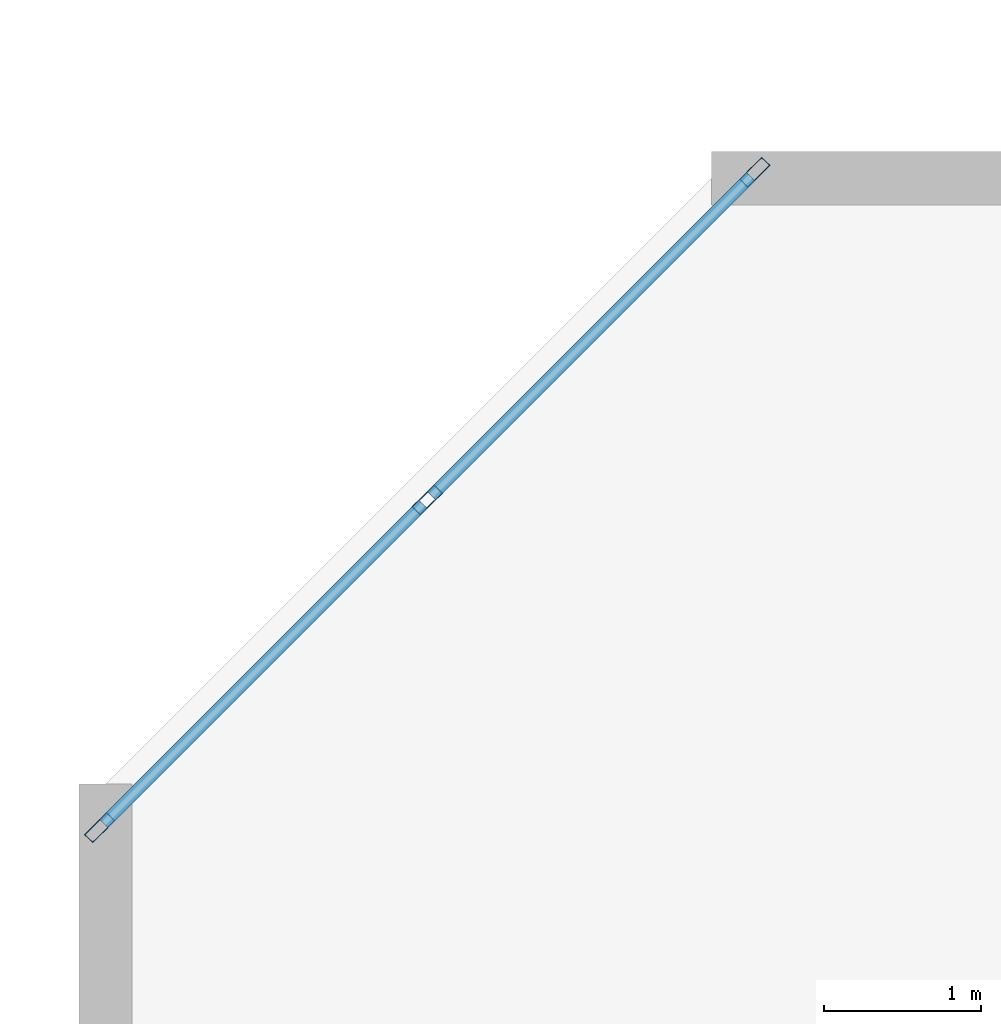
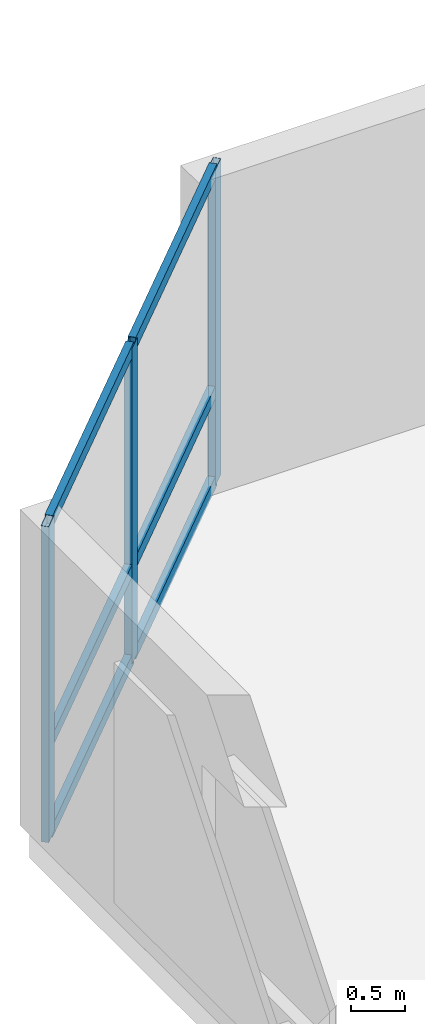
# One storey, part 3 of 12: 9 members, 1 element without a shape of its own.
"""IFC4 building model written with IfcOpenShell, lengths in metres."""

from ifc_helpers import new_model, si_unit, direction, frame, origin, origin_2d, place, context, subcontext, project, spatial, hollow_rectangle, extrude, material, layer, layer_set, material_profile, profile_set, type_object, element, aggregate, save


model = new_model("IFC4")

# Units and contexts
model_context = context("Model", 3, precision=1e-05, world=origin(), true_north=direction((0.0, 1.0)))
body_context = subcontext(model_context, "Body", "Model", "MODEL_VIEW")
ifc_project = project(units=[si_unit("LENGTHUNIT", "METRE"), si_unit("AREAUNIT", "SQUARE_METRE"), si_unit("VOLUMEUNIT", "CUBIC_METRE"), si_unit("PLANEANGLEUNIT", "RADIAN"), si_unit("MASSUNIT", "GRAM", prefix="KILO")], contexts=[model_context])

# Site, building, storey
site_placement = place(None, origin())
site = spatial("IfcSite", under=ifc_project, at=site_placement, CompositionType="ELEMENT")
building_placement = place(site_placement, origin())
building = spatial("IfcBuilding", under=site, at=building_placement, Name="Kestravale Grand Hotel", CompositionType="ELEMENT")
storey_placement = place(building_placement, frame((0.0, 0.0, 33.60009765625)))
storey = spatial("IfcBuildingStorey", under=building, at=storey_placement, Name="L07", CompositionType="ELEMENT", Elevation=33.60009765625)

# Curtain wall, members
ifc_material_1 = material(Name="Thermally broken champagne-bronze aluminium and low-E glazing", Category="aluminium")
ifc_layer = layer(ifc_material_1, 0.199951171875)
ifc_layer_set = layer_set([ifc_layer], Name="CW-Z1")
curtain_wall_type = type_object("IfcCurtainWallType", Name="CW-Z1", PredefinedType="NOTDEFINED", material=ifc_layer_set)
curtain_wall_placement = place(storey_placement, origin())
curtain_wall = element("IfcCurtainWall", 1, at=curtain_wall_placement, inside=storey, type_object=curtain_wall_type, Name="L07 unitised curtain wall 18", PredefinedType="NOTDEFINED")
ifc_material_2 = material(Name="Aluminium 6063-T6 anodised", Category="aluminium")
ifc_material_profile_1 = material_profile(ifc_material_2, hollow_rectangle(XDim=0.074951171875, YDim=0.199951171875, WallThickness=0.00390625, at=origin_2d()))
ifc_profile_set_1 = profile_set([ifc_material_profile_1], Name="Aluminium 6063-T6 anodised")
member_type_1 = type_object("IfcMemberType", Name="CW-MUL-200", PredefinedType="MULLION", material=ifc_profile_set_1)
member_1_placement = place(storey_placement, frame((6.707763671875, 46.0673828125, 0.0), z_axis=(0.0, 0.0, 1.0), x_axis=(0.707106781187, -0.707106781187, 0.0)))
member_1 = element("IfcMember", 2, at=member_1_placement, type_object=member_type_1, Name="CW-Z1 mullion 1", PredefinedType="MULLION", context=body_context, shape_type="SweptSolid", body=[
    extrude(hollow_rectangle(XDim=0.074951171875, YDim=0.199951171875, WallThickness=0.00390625, at=origin_2d()), origin(), (0.0, 0.0, 1.0), 3.539794921875),
])
member_2_placement = place(storey_placement, frame((4.6201171875, 43.979736328125, 0.0), z_axis=(0.0, 0.0, 1.0), x_axis=(0.707106781187, -0.707106781187, 0.0)))
member_2 = element("IfcMember", 3, at=member_2_placement, type_object=member_type_1, Name="CW-Z1 mullion 2", PredefinedType="MULLION", context=body_context, shape_type="SweptSolid", body=[
    extrude(hollow_rectangle(XDim=0.074951171875, YDim=0.199951171875, WallThickness=0.00390625, at=origin_2d()), origin(), (0.0, 0.0, 1.0), 3.539794921875),
])
member_3_placement = place(storey_placement, frame((2.532470703125, 41.89208984375, 0.0), z_axis=(0.0, 0.0, 1.0), x_axis=(0.707106781187, -0.707106781187, 0.0)))
member_3 = element("IfcMember", 4, at=member_3_placement, type_object=member_type_1, Name="CW-Z1 mullion 3", PredefinedType="MULLION", context=body_context, shape_type="SweptSolid", body=[
    extrude(hollow_rectangle(XDim=0.074951171875, YDim=0.199951171875, WallThickness=0.00390625, at=origin_2d()), origin(), (0.0, 0.0, 1.0), 3.539794921875),
])
ifc_material_3 = material(Name="Aluminium 6063-T6 anodised", Category="aluminium")
ifc_material_profile_2 = material_profile(ifc_material_3, hollow_rectangle(XDim=0.074951171875, YDim=0.139892578125, WallThickness=0.00341796875, at=origin_2d()))
ifc_profile_set_2 = profile_set([ifc_material_profile_2], Name="Aluminium 6063-T6 anodised")
member_type_2 = type_object("IfcMemberType", Name="CW-TRN-140", PredefinedType="USERDEFINED", material=ifc_profile_set_2)
member_4_placement = place(storey_placement, frame((6.681396484375, 46.041015625, 0.037353515625), z_axis=(-0.707106781187, -0.707106781187, 0.0), x_axis=(0.707106781187, -0.707106781187, 0.0)))
member_4 = element("IfcMember", 5, at=member_4_placement, type_object=member_type_2, Name="CW-Z1 transom 1.1", ObjectType="TRANSOM", PredefinedType="USERDEFINED", context=body_context, shape_type="SweptSolid", body=[
    extrude(hollow_rectangle(XDim=0.074951171875, YDim=0.139892578125, WallThickness=0.00341796875, at=origin_2d()), origin(), (0.0, 0.0, 1.0), 2.87744140625),
])
member_5_placement = place(storey_placement, frame((6.681396484375, 46.041015625, 1.0498046875), z_axis=(-0.707106781187, -0.707106781187, 0.0), x_axis=(0.707106781187, -0.707106781187, 0.0)))
member_5 = element("IfcMember", 6, at=member_5_placement, type_object=member_type_2, Name="CW-Z1 transom 1.2", ObjectType="TRANSOM", PredefinedType="USERDEFINED", context=body_context, shape_type="SweptSolid", body=[
    extrude(hollow_rectangle(XDim=0.074951171875, YDim=0.139892578125, WallThickness=0.00341796875, at=origin_2d()), origin(), (0.0, 0.0, 1.0), 2.87744140625),
])
member_6_placement = place(storey_placement, frame((6.681396484375, 46.041015625, 3.50244140625), z_axis=(-0.707106781187, -0.707106781187, 0.0), x_axis=(0.707106781187, -0.707106781187, 0.0)))
member_6 = element("IfcMember", 7, at=member_6_placement, type_object=member_type_2, Name="CW-Z1 transom 1.3", ObjectType="TRANSOM", PredefinedType="USERDEFINED", context=body_context, shape_type="SweptSolid", body=[
    extrude(hollow_rectangle(XDim=0.074951171875, YDim=0.139892578125, WallThickness=0.00341796875, at=origin_2d()), origin(), (0.0, 0.0, 1.0), 2.87744140625),
])
member_7_placement = place(storey_placement, frame((4.59375, 43.953369140625, 0.037353515625), z_axis=(-0.707106781187, -0.707106781187, 0.0), x_axis=(0.707106781187, -0.707106781187, 0.0)))
member_7 = element("IfcMember", 8, at=member_7_placement, type_object=member_type_2, Name="CW-Z1 transom 2.1", ObjectType="TRANSOM", PredefinedType="USERDEFINED", context=body_context, shape_type="SweptSolid", body=[
    extrude(hollow_rectangle(XDim=0.074951171875, YDim=0.139892578125, WallThickness=0.00341796875, at=origin_2d()), origin(), (0.0, 0.0, 1.0), 2.87744140625),
])
member_8_placement = place(storey_placement, frame((4.59375, 43.953369140625, 1.0498046875), z_axis=(-0.707106781187, -0.707106781187, 0.0), x_axis=(0.707106781187, -0.707106781187, 0.0)))
member_8 = element("IfcMember", 9, at=member_8_placement, type_object=member_type_2, Name="CW-Z1 transom 2.2", ObjectType="TRANSOM", PredefinedType="USERDEFINED", context=body_context, shape_type="SweptSolid", body=[
    extrude(hollow_rectangle(XDim=0.074951171875, YDim=0.139892578125, WallThickness=0.00341796875, at=origin_2d()), origin(), (0.0, 0.0, 1.0), 2.87744140625),
])
member_9_placement = place(storey_placement, frame((4.59375, 43.953369140625, 3.50244140625), z_axis=(-0.707106781187, -0.707106781187, 0.0), x_axis=(0.707106781187, -0.707106781187, 0.0)))
member_9 = element("IfcMember", 10, at=member_9_placement, type_object=member_type_2, Name="CW-Z1 transom 2.3", ObjectType="TRANSOM", PredefinedType="USERDEFINED", context=body_context, shape_type="SweptSolid", body=[
    extrude(hollow_rectangle(XDim=0.074951171875, YDim=0.139892578125, WallThickness=0.00341796875, at=origin_2d()), origin(), (0.0, 0.0, 1.0), 2.87744140625),
])
aggregate(curtain_wall, [member_1, member_2, member_3, member_4, member_5, member_6, member_7, member_8, member_9])

save(model, "model.ifc")
